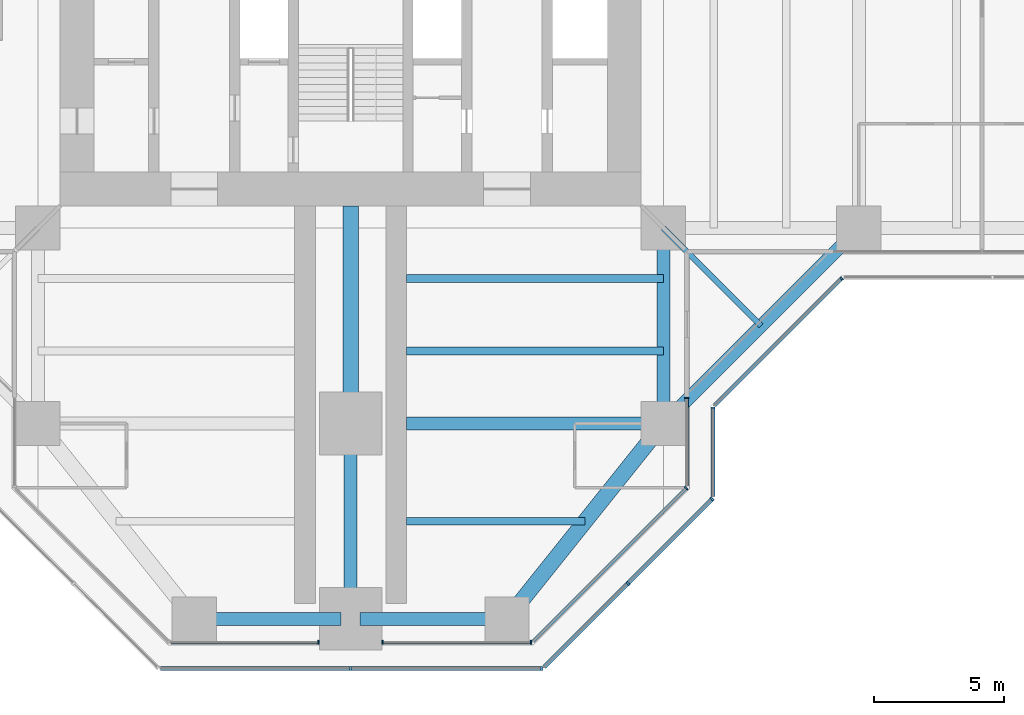
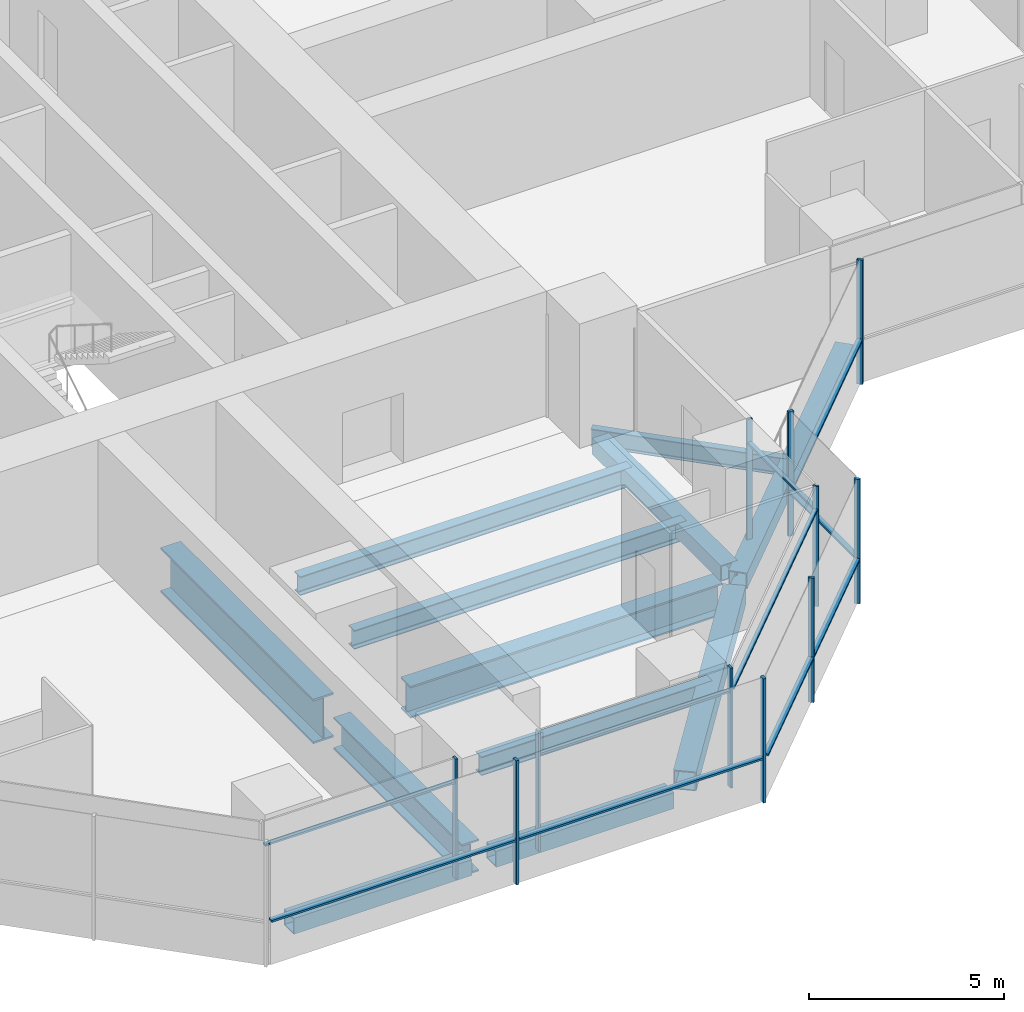
# One storey, part 4 of 20: 21 members, 12 beams, 8 elements without a shape of their own.
"""IFC4 building model written with IfcOpenShell, lengths in metres."""

import ifcopenshell
import ifcopenshell.guid

model = None  # the IFC model being written
_history = None  # IfcOwnerHistory: only IFC2X3 demands one
_inside = {}  # id of a spatial element -> (the spatial element, [elements in it])
_under = {}  # id of a project, library or spatial element -> (it, [spatial elements below it])
_declared = {}  # id of a project -> (the project, [libraries it declares])
_typed = {}  # id of a type object -> (the type object, [elements of that type])
_made_of = {}  # id of a material, layer set ... -> (it, [elements and type objects made of it])


def new_model(schema):
    """Start an empty IFC model of exactly this schema.

    Asked for "IFC4X3", IfcOpenShell would pick the latest addendum, in which some entities
    have other attributes; the version numbers below select the first issue.
    IFC2X3 requires an IfcOwnerHistory on every rooted entity: one is made here for all.
    """
    global model, _history
    if schema == "IFC4X3":
        model = ifcopenshell.file(schema_version=(4, 3, 0, 0))
    else:
        model = ifcopenshell.file(schema=schema)
    _inside.clear()
    _under.clear()
    _declared.clear()
    _typed.clear()
    _made_of.clear()
    _history = None
    if model.schema == "IFC2X3":
        org = make("IfcOrganization", Name="unknown")
        user = make(
            "IfcPersonAndOrganization",
            ThePerson=make("IfcPerson", FamilyName="unknown"),
            TheOrganization=org,
        )
        app = make(
            "IfcApplication",
            ApplicationDeveloper=org,
            Version="unknown",
            ApplicationFullName="unknown",
            ApplicationIdentifier="unknown",
        )
        _history = make(
            "IfcOwnerHistory",
            OwningUser=user,
            OwningApplication=app,
            ChangeAction="ADDED",
            CreationDate=0,
        )
    return model


def make(cls, **values):
    """One entity of the class cls with the attributes given. An attribute that is None is left unset."""
    return model.create_entity(
        cls, **{name: value for name, value in values.items() if value is not None}
    )


def rooted(cls, **values):
    """An entity with a GlobalId (a new one), such as an element, a storey or a relation."""
    return make(cls, GlobalId=ifcopenshell.guid.new(), OwnerHistory=_history, **values)


def si_unit(unit_type, name, prefix=None):
    """IfcSIUnit, for example si_unit("LENGTHUNIT", "METRE", prefix="MILLI")."""
    return make("IfcSIUnit", UnitType=unit_type, Prefix=prefix, Name=name)


def assignment(units):
    """IfcUnitAssignment: the units of a project."""
    return None if units is None else make("IfcUnitAssignment", Units=units)


def point(xyz):
    """IfcCartesianPoint."""
    return None if xyz is None else make("IfcCartesianPoint", Coordinates=xyz)


def direction(xyz):
    """IfcDirection."""
    return None if xyz is None else make("IfcDirection", DirectionRatios=xyz)


def frame(location, z_axis=None, x_axis=None):
    """IfcAxis2Placement3D, a coordinate frame: its origin and axes. An axis left out is left unset."""
    return make(
        "IfcAxis2Placement3D",
        Location=point(location),
        Axis=direction(z_axis),
        RefDirection=direction(x_axis),
    )


def frame_2d(location, x_axis=None):
    """IfcAxis2Placement2D, a coordinate frame in the plane: its origin and x axis."""
    return make(
        "IfcAxis2Placement2D", Location=point(location), RefDirection=direction(x_axis)
    )


def origin():
    """The frame at (0, 0, 0) with its axes left unset."""
    return frame((0.0, 0.0, 0.0))


def origin_2d():
    """The frame at (0, 0) in the plane with its x axis left unset."""
    return frame_2d((0.0, 0.0))


def place(relative_to, where):
    """IfcLocalPlacement: puts the frame where relative to a parent placement (None: the world)."""
    return make(
        "IfcLocalPlacement", PlacementRelTo=relative_to, RelativePlacement=where
    )


def context(
    kind, dimensions, precision=None, world=None, true_north=None, identifier=None
):
    """IfcGeometricRepresentationContext, for example the 3D "Model" context."""
    return make(
        "IfcGeometricRepresentationContext",
        ContextIdentifier=identifier,
        ContextType=kind,
        CoordinateSpaceDimension=dimensions,
        Precision=precision,
        WorldCoordinateSystem=world,
        TrueNorth=true_north,
    )


def subcontext(parent, identifier, kind, view, scale=None):
    """IfcGeometricRepresentationSubContext, for example "Body" below "Model"."""
    return make(
        "IfcGeometricRepresentationSubContext",
        ContextIdentifier=identifier,
        ContextType=kind,
        ParentContext=parent,
        TargetScale=scale,
        TargetView=view,
    )


def project(units=None, contexts=None):
    """IfcProject with its units and contexts."""
    return rooted(
        "IfcProject",
        Name="project",
        RepresentationContexts=contexts,
        UnitsInContext=assignment(units),
    )


def spatial(cls, under=None, at=None, **own):
    """A site, building, storey or space (cls), placed at a placement, below another one or the project."""
    s = rooted(cls, ObjectPlacement=at, **own)
    if under is not None:
        _under.setdefault(under.id(), (under, []))[1].append(s)
    return s


def profile(cls, at=None, kind="AREA", **sizes):
    """A parametric profile (cls). Its sizes go by their IFC names, for example OverallWidth=200.0."""
    return make(cls, ProfileType=kind, Position=at, **sizes)


def rectangle(**sizes):
    """IfcRectangleProfileDef."""
    return profile("IfcRectangleProfileDef", **sizes)


def hollow_rectangle(**sizes):
    """IfcRectangleHollowProfileDef."""
    return profile("IfcRectangleHollowProfileDef", **sizes)


def i_section(**sizes):
    """IfcIShapeProfileDef."""
    return profile("IfcIShapeProfileDef", **sizes)


def extrude(swept, where, along, depth):
    """IfcExtrudedAreaSolid: the profile swept, set in the frame where, extruded along a direction by depth."""
    return make(
        "IfcExtrudedAreaSolid",
        SweptArea=swept,
        Position=where,
        ExtrudedDirection=direction(along),
        Depth=depth,
    )


def shape(context_of_items, identifier, shape_type, items):
    """IfcShapeRepresentation: the items that make up one representation, for example the "Body"."""
    return make(
        "IfcShapeRepresentation",
        ContextOfItems=context_of_items,
        RepresentationIdentifier=identifier,
        RepresentationType=shape_type,
        Items=items,
    )


def material(Name=None, Category=None):
    """IfcMaterial."""
    return make("IfcMaterial", Name=Name, Category=Category)


def material_profile(
    of_material, cross_section, Name=None, Category=None, Priority=None
):
    """IfcMaterialProfile: a cross section and its material."""
    return make(
        "IfcMaterialProfile",
        Name=Name,
        Material=of_material,
        Profile=cross_section,
        Priority=Priority,
        Category=Category,
    )


def profile_set(profiles, Name=None, composite=None):
    """IfcMaterialProfileSet."""
    return make(
        "IfcMaterialProfileSet",
        Name=Name,
        MaterialProfiles=profiles,
        CompositeProfile=composite,
    )


def made_of(thing, what):
    """Note that an element or type object is made of a material, layer set ...; save() writes the relation."""
    if what is not None:
        _made_of.setdefault(what.id(), (what, []))[1].append(thing)
    return thing


def type_object(cls, material=None, **own):
    """A type object (cls), such as IfcWallType, which elements share."""
    return made_of(rooted(cls, **own), material)


def element(
    cls,
    number,
    at=None,
    inside=None,
    cuts=None,
    type_object=None,
    material=None,
    context=None,
    identifier="Body",
    shape_type=None,
    held_by="IfcProductDefinitionShape",
    body=None,
    shapes=None,
    **own,
):
    """One element of the class cls, such as IfcWall. Its Tag is "e" and its number.

    at: its placement. inside: the storey or other place that contains it. cuts: it is an
    opening in that element (IfcRelVoidsElement). A single representation is given by context,
    identifier, shape_type and body (its items); several are given by shapes. held_by: the class
    of the entity that holds the representations. save() writes the other relations.
    """
    e = rooted(cls, Tag="e%d" % number, ObjectPlacement=at, **own)
    if body is not None:
        shapes = [shape(context, identifier, shape_type, body)]
    if shapes is not None:
        e.Representation = make(held_by, Representations=shapes)
    if inside is not None:
        _inside.setdefault(inside.id(), (inside, []))[1].append(e)
    if cuts is not None:
        rooted(
            "IfcRelVoidsElement", RelatingBuildingElement=cuts, RelatedOpeningElement=e
        )
    if type_object is not None:
        _typed.setdefault(type_object.id(), (type_object, []))[1].append(e)
    return made_of(e, material)


def aggregate(whole, parts):
    """IfcRelAggregates: a whole, such as a stair, and the parts it consists of."""
    return rooted("IfcRelAggregates", RelatingObject=whole, RelatedObjects=parts)


def save(model, path):
    """Write the relations noted so far, then the file.

    IfcRelAggregates (storeys below a building ...), IfcRelContainedInSpatialStructure (elements
    in a storey), IfcRelDefinesByType, IfcRelAssociatesMaterial and IfcRelDeclares: one each for
    every whole, place, type object, material and project.
    """
    for whole, parts in _under.values():
        aggregate(whole, parts)
    for where, things in _inside.values():
        rooted(
            "IfcRelContainedInSpatialStructure",
            RelatedElements=things,
            RelatingStructure=where,
        )
    for kind, things in _typed.values():
        rooted("IfcRelDefinesByType", RelatedObjects=things, RelatingType=kind)
    for what, things in _made_of.values():
        rooted("IfcRelAssociatesMaterial", RelatedObjects=things, RelatingMaterial=what)
    for by, libraries in _declared.values():
        rooted("IfcRelDeclares", RelatingContext=by, RelatedDefinitions=libraries)
    model.write(path)


model = new_model("IFC4")

# Units and contexts
model_context = context("Model", 3, precision=1e-05, world=origin(), true_north=direction((0.0, 1.0)))
body_context = subcontext(model_context, "Body", "Model", "MODEL_VIEW")
ifc_project = project(units=[si_unit("LENGTHUNIT", "METRE"), si_unit("AREAUNIT", "SQUARE_METRE"), si_unit("VOLUMEUNIT", "CUBIC_METRE"), si_unit("PLANEANGLEUNIT", "RADIAN"), si_unit("MASSUNIT", "GRAM", prefix="KILO")], contexts=[model_context])

# Site, building, storey
site_placement = place(None, origin())
site = spatial("IfcSite", under=ifc_project, at=site_placement, CompositionType="ELEMENT")
building_placement = place(site_placement, origin())
building = spatial("IfcBuilding", under=site, at=building_placement, Name="Mizan Broadcast Tower", CompositionType="ELEMENT")
storey_placement = place(building_placement, frame((0.0, 0.0, 135.89990234375)))
storey = spatial("IfcBuildingStorey", under=building, at=storey_placement, Name="L30", CompositionType="ELEMENT", Elevation=135.89990234375)

# Beams
ifc_material_1 = material(Name="Steel S355", Category="steel")
ifc_material_profile_1 = material_profile(ifc_material_1, hollow_rectangle(XDim=0.5, YDim=0.5, WallThickness=0.030029296875, at=origin_2d()), Name="BOX 500x500x30")
ifc_profile_set_1 = profile_set([ifc_material_profile_1], Name="Steel S355")
beam_type_1 = type_object("IfcBeamType", Name="EDGE BEAM BOX 500x500x30", PredefinedType="SPANDREL", material=ifc_profile_set_1)
beam_1_placement = place(storey_placement, frame((-5.639892578125, -27.0, -0.3798828125), z_axis=(1.0, 0.0, 0.0), x_axis=(0.0, 1.0, 0.0)))
element("IfcBeam", 1, at=beam_1_placement, inside=storey, type_object=beam_type_1, Name="Edge beam BOX 500x500x30 L30 south arm", PredefinedType="SPANDREL", context=body_context, shape_type="SweptSolid", body=[
    extrude(hollow_rectangle(XDim=0.5, YDim=0.5, WallThickness=0.030029296875, at=origin_2d()), origin(), (0.0, 0.0, 1.0), 5.27978515625),
])
beam_2_placement = place(storey_placement, frame((12.0, -12.449951171875, -0.3798828125), z_axis=(0.0, -1.0, 0.0), x_axis=(1.0, 0.0, 0.0)))
element("IfcBeam", 2, at=beam_2_placement, inside=storey, type_object=beam_type_1, Name="Edge beam BOX 500x500x30 L30 south arm", PredefinedType="SPANDREL", context=body_context, shape_type="SweptSolid", body=[
    extrude(hollow_rectangle(XDim=0.5, YDim=0.5, WallThickness=0.030029296875, at=origin_2d()), origin(), (0.0, 0.0, 1.0), 6.60009765625),
])
beam_3_placement = place(storey_placement, frame((5.639892578125, -27.0, -0.3798828125), z_axis=(-1.0, 0.0, 0.0), x_axis=(0.0, -1.0, 0.0)))
element("IfcBeam", 3, at=beam_3_placement, inside=storey, type_object=beam_type_1, Name="Edge beam BOX 500x500x30 L30 south arm", PredefinedType="SPANDREL", context=body_context, shape_type="SweptSolid", body=[
    extrude(hollow_rectangle(XDim=0.5, YDim=0.5, WallThickness=0.030029296875, at=origin_2d()), origin(), (0.0, 0.0, 1.0), 5.27978515625),
])
beam_4_placement = place(storey_placement, frame((12.0, -19.5, -0.3798828125), z_axis=(0.707106781187, 0.707106781187, 0.0), x_axis=(-0.707106781187, 0.707106781187, 0.0)))
element("IfcBeam", 4, at=beam_4_placement, inside=storey, type_object=beam_type_1, Name="Winter garden edge beam L30 S", PredefinedType="SPANDREL", context=body_context, shape_type="SweptSolid", body=[
    extrude(hollow_rectangle(XDim=0.5, YDim=0.5, WallThickness=0.030029296875, at=origin_2d()), origin(), (0.0, 0.0, 1.0), 10.606689453125),
])
ifc_material_2 = material(Name="Steel S355", Category="steel")
ifc_material_profile_2 = material_profile(ifc_material_2, hollow_rectangle(XDim=0.60009765625, YDim=0.60009765625, WallThickness=0.030029296875, at=origin_2d()), Name="BOX 600x600x30")
ifc_profile_set_2 = profile_set([ifc_material_profile_2], Name="Steel S355")
beam_type_2 = type_object("IfcBeamType", Name="EDGE BEAM BOX 600x600x30", PredefinedType="SPANDREL", material=ifc_profile_set_2)
beam_5_placement = place(storey_placement, frame((11.639892578125, -19.949951171875, -0.429931640625), z_axis=(-0.624673911726, -0.780885717636, 0.0), x_axis=(0.780885717636, -0.624673911726, 0.0)))
element("IfcBeam", 5, at=beam_5_placement, inside=storey, type_object=beam_type_2, Name="Edge beam BOX 600x600x30 L30 south arm", PredefinedType="SPANDREL", context=body_context, shape_type="SweptSolid", body=[
    extrude(hollow_rectangle(XDim=0.60009765625, YDim=0.60009765625, WallThickness=0.030029296875, at=origin_2d()), origin(), (0.0, 0.0, 1.0), 8.4521484375),
])
ifc_material_3 = material(Name="Steel S460", Category="steel")
ifc_material_profile_3 = material_profile(ifc_material_3, i_section(OverallWidth=0.5, OverallDepth=1.0, WebThickness=0.02490234375, FlangeThickness=0.050048828125, at=origin_2d()), Name="WPG 1000x500")
ifc_profile_set_3 = profile_set([ifc_material_profile_3], Name="Steel S460")
beam_type_3 = type_object("IfcBeamType", Name="GIRDER WPG 1000x500", PredefinedType="BEAM", material=ifc_profile_set_3)
beam_6_placement = place(storey_placement, frame((0.0, -19.949951171875, -0.6298828125), z_axis=(0.0, -1.0, 0.0), x_axis=(1.0, 0.0, 0.0)))
element("IfcBeam", 6, at=beam_6_placement, inside=storey, type_object=beam_type_3, Name="Girder WPG 1000x500 L30 south arm", PredefinedType="BEAM", context=body_context, shape_type="SweptSolid", body=[
    extrude(i_section(OverallWidth=0.5, OverallDepth=1.0, WebThickness=0.02490234375, FlangeThickness=0.050048828125, at=origin_2d()), origin(), (0.0, 0.0, 1.0), 6.60009765625),
])
beam_7_placement = place(storey_placement, frame((11.408935546875, -19.5, -0.6298828125), z_axis=(-1.0, 0.0, 0.0), x_axis=(0.0, -1.0, 0.0)))
element("IfcBeam", 7, at=beam_7_placement, inside=storey, type_object=beam_type_3, Name="Girder WPG 1000x500 L30 south arm", PredefinedType="BEAM", context=body_context, shape_type="SweptSolid", body=[
    extrude(i_section(OverallWidth=0.5, OverallDepth=1.0, WebThickness=0.02490234375, FlangeThickness=0.050048828125, at=origin_2d()), origin(), (0.0, 0.0, 1.0), 9.259033203125),
])
ifc_material_4 = material(Name="Steel S460", Category="steel")
ifc_material_profile_4 = material_profile(ifc_material_4, i_section(OverallWidth=0.60009765625, OverallDepth=1.39990234375, WebThickness=0.02490234375, FlangeThickness=0.06005859375, at=origin_2d()), Name="WPG 1400x600")
ifc_profile_set_4 = profile_set([ifc_material_profile_4], Name="Steel S460")
beam_type_4 = type_object("IfcBeamType", Name="GIRDER WPG 1400x600", PredefinedType="BEAM", material=ifc_profile_set_4)
beam_8_placement = place(storey_placement, frame((0.0, -11.14990234375, -0.829833984375), z_axis=(0.0, -1.0, 0.0), x_axis=(1.0, 0.0, 0.0)))
element("IfcBeam", 8, at=beam_8_placement, inside=storey, type_object=beam_type_4, Name="Girder WPG 1400x600 L30 south arm", PredefinedType="BEAM", context=body_context, shape_type="SweptSolid", body=[
    extrude(i_section(OverallWidth=0.60009765625, OverallDepth=1.39990234375, WebThickness=0.02490234375, FlangeThickness=0.06005859375, at=origin_2d()), origin(), (0.0, 0.0, 1.0), 7.84912109375),
])

# Curtain wall, member
ifc_material_5 = material(Name="Aluminium framed glazing", Category="aluminium")
curtain_wall_type_1 = type_object("IfcCurtainWallType", Name="INNER SKIN MID ZONE", PredefinedType="USERDEFINED", material=ifc_material_5)
curtain_wall_1_placement = place(storey_placement, origin())
curtain_wall_1 = element("IfcCurtainWall", 9, at=curtain_wall_1_placement, inside=storey, type_object=curtain_wall_type_1, Name="Inner skin mid zone L30 S end", ObjectType="INNER SKIN MID ZONE", PredefinedType="USERDEFINED")
ifc_material_6 = material(Name="Aluminium, pale anodised", Category="aluminium")
ifc_material_profile_5 = material_profile(ifc_material_6, rectangle(XDim=0.159912109375, YDim=0.06005859375, at=origin_2d()), Name="MULLION 160x60")
ifc_profile_set_5 = profile_set([ifc_material_profile_5], Name="Aluminium, pale anodised")
member_type_1 = type_object("IfcMemberType", Name="INNER SKIN MULLION 60x160", PredefinedType="MULLION", material=ifc_profile_set_5)
member_1_placement = place(storey_placement, frame((-1.22998046875, -27.89990234375, 0.0), z_axis=(0.0, 0.0, 1.0), x_axis=(0.0, 1.0, 0.0)))
member_1 = element("IfcMember", 10, at=member_1_placement, type_object=member_type_1, Name="Inner skin mid zone L30 S end mullion 2", PredefinedType="MULLION", context=body_context, shape_type="SweptSolid", body=[
    extrude(rectangle(XDim=0.159912109375, YDim=0.06005859375, at=origin_2d()), origin(), (0.0, 0.0, 1.0), 3.77001953125),
])

# Curtain wall, members
curtain_wall_2_placement = place(storey_placement, origin())
curtain_wall_2 = element("IfcCurtainWall", 11, at=curtain_wall_2_placement, inside=storey, type_object=curtain_wall_type_1, Name="Inner skin mid zone L30 S end", ObjectType="INNER SKIN MID ZONE", PredefinedType="USERDEFINED")
member_2_placement = place(storey_placement, frame((1.22998046875, -27.89990234375, 0.0), z_axis=(0.0, 0.0, 1.0), x_axis=(0.0, 1.0, 0.0)))
member_2 = element("IfcMember", 12, at=member_2_placement, type_object=member_type_1, Name="Inner skin mid zone L30 S end mullion 1", PredefinedType="MULLION", context=body_context, shape_type="SweptSolid", body=[
    extrude(rectangle(XDim=0.159912109375, YDim=0.06005859375, at=origin_2d()), origin(), (0.0, 0.0, 1.0), 3.77001953125),
])
member_3_placement = place(storey_placement, frame((6.928466796875, -27.89990234375, 0.0), z_axis=(0.0, 0.0, 1.0), x_axis=(0.0, 1.0, 0.0)))
member_3 = element("IfcMember", 13, at=member_3_placement, type_object=member_type_1, Name="Inner skin mid zone L30 S end mullion 2", PredefinedType="MULLION", context=body_context, shape_type="SweptSolid", body=[
    extrude(rectangle(XDim=0.159912109375, YDim=0.06005859375, at=origin_2d()), origin(), (0.0, 0.0, 1.0), 3.77001953125),
])

# Curtain wall, member
curtain_wall_3_placement = place(storey_placement, origin())
curtain_wall_3 = element("IfcCurtainWall", 14, at=curtain_wall_3_placement, inside=storey, type_object=curtain_wall_type_1, Name="Inner skin mid zone L30 S chamfer", ObjectType="INNER SKIN MID ZONE", PredefinedType="USERDEFINED")
member_4_placement = place(storey_placement, frame((12.87890625, -21.979736328125, 0.0), z_axis=(0.0, 0.0, 1.0), x_axis=(-0.707106781187, 0.707106781187, 0.0)))
member_4 = element("IfcMember", 15, at=member_4_placement, type_object=member_type_1, Name="Inner skin mid zone L30 S chamfer mullion 2", PredefinedType="MULLION", context=body_context, shape_type="SweptSolid", body=[
    extrude(rectangle(XDim=0.159912109375, YDim=0.06005859375, at=origin_2d()), origin(), (0.0, 0.0, 1.0), 3.77001953125),
])

curtain_wall_4_placement = place(storey_placement, origin())
curtain_wall_4 = element("IfcCurtainWall", 16, at=curtain_wall_4_placement, inside=storey, type_object=curtain_wall_type_1, Name="Inner skin mid zone L30 S side", ObjectType="INNER SKIN MID ZONE", PredefinedType="USERDEFINED")
member_5_placement = place(storey_placement, frame((12.89990234375, -18.530029296875, 0.0), z_axis=(0.0, 0.0, 1.0), x_axis=(-1.0, 0.0, 0.0)))
member_5 = element("IfcMember", 17, at=member_5_placement, type_object=member_type_1, Name="Inner skin mid zone L30 S side mullion 2", PredefinedType="MULLION", context=body_context, shape_type="SweptSolid", body=[
    extrude(rectangle(XDim=0.159912109375, YDim=0.06005859375, at=origin_2d()), origin(), (0.0, 0.0, 1.0), 3.77001953125),
])

# Member
ifc_material_7 = material(Name="Aluminium, pale anodised", Category="aluminium")
ifc_material_profile_6 = material_profile(ifc_material_7, rectangle(XDim=0.1201171875, YDim=0.06005859375, at=origin_2d()), Name="TRANSOM 120x60")
ifc_profile_set_6 = profile_set([ifc_material_profile_6], Name="Aluminium, pale anodised")
member_type_2 = type_object("IfcMemberType", Name="INNER SKIN TRANSOM 60x120", PredefinedType="USERDEFINED", material=ifc_profile_set_6)
member_6_placement = place(storey_placement, frame((-6.898681640625, -27.89990234375, 3.030029296875), z_axis=(1.0, 0.0, 0.0), x_axis=(0.0, 1.0, 0.0)))
member_6 = element("IfcMember", 18, at=member_6_placement, type_object=member_type_2, Name="Inner skin mid zone L30 S end transom 1.1", ObjectType="TRANSOM", PredefinedType="USERDEFINED", context=body_context, shape_type="SweptSolid", body=[
    extrude(rectangle(XDim=0.1201171875, YDim=0.06005859375, at=origin_2d()), origin(), (0.0, 0.0, 1.0), 5.638671875),
])

aggregate(curtain_wall_1, [member_1, member_6])

member_7_placement = place(storey_placement, frame((1.260009765625, -27.89990234375, 3.030029296875), z_axis=(1.0, 0.0, 0.0), x_axis=(0.0, 1.0, 0.0)))
member_7 = element("IfcMember", 19, at=member_7_placement, type_object=member_type_2, Name="Inner skin mid zone L30 S end transom 1.1", ObjectType="TRANSOM", PredefinedType="USERDEFINED", context=body_context, shape_type="SweptSolid", body=[
    extrude(rectangle(XDim=0.1201171875, YDim=0.06005859375, at=origin_2d()), origin(), (0.0, 0.0, 1.0), 5.638671875),
])

aggregate(curtain_wall_2, [member_2, member_3, member_7])

member_8_placement = place(storey_placement, frame((7.0009765625, -27.857666015625, 3.030029296875), z_axis=(0.707106781187, 0.707106781187, 0.0), x_axis=(-0.707106781187, 0.707106781187, 0.0)))
member_8 = element("IfcMember", 20, at=member_8_placement, type_object=member_type_2, Name="Inner skin mid zone L30 S chamfer transom 1.1", ObjectType="TRANSOM", PredefinedType="USERDEFINED", context=body_context, shape_type="SweptSolid", body=[
    extrude(rectangle(XDim=0.1201171875, YDim=0.06005859375, at=origin_2d()), origin(), (0.0, 0.0, 1.0), 8.28271484375),
])

aggregate(curtain_wall_3, [member_4, member_8])

member_9_placement = place(storey_placement, frame((12.89990234375, -21.898681640625, 3.030029296875), z_axis=(0.0, 1.0, 0.0), x_axis=(-1.0, 0.0, 0.0)))
member_9 = element("IfcMember", 21, at=member_9_placement, type_object=member_type_2, Name="Inner skin mid zone L30 S side transom 1.1", ObjectType="TRANSOM", PredefinedType="USERDEFINED", context=body_context, shape_type="SweptSolid", body=[
    extrude(rectangle(XDim=0.1201171875, YDim=0.06005859375, at=origin_2d()), origin(), (0.0, 0.0, 1.0), 3.338623046875),
])

aggregate(curtain_wall_4, [member_5, member_9])

# Curtain wall, members
ifc_material_8 = material(Name="Aluminium framed glazing", Category="aluminium")
curtain_wall_type_2 = type_object("IfcCurtainWallType", Name="OUTER SKIN", PredefinedType="USERDEFINED", material=ifc_material_8)
curtain_wall_5_placement = place(storey_placement, origin())
curtain_wall_5 = element("IfcCurtainWall", 22, at=curtain_wall_5_placement, inside=storey, type_object=curtain_wall_type_2, Name="Outer skin L30 S end", ObjectType="OUTER SKIN", PredefinedType="USERDEFINED")
ifc_material_9 = material(Name="Aluminium, pale anodised", Category="aluminium")
ifc_material_profile_7 = material_profile(ifc_material_9, rectangle(XDim=0.159912109375, YDim=0.080078125, at=origin_2d()), Name="MULLION 160x80")
ifc_profile_set_7 = profile_set([ifc_material_profile_7], Name="Aluminium, pale anodised")
member_type_3 = type_object("IfcMemberType", Name="OUTER SKIN MULLION 80x160", PredefinedType="MULLION", material=ifc_profile_set_7)
member_10_placement = place(storey_placement, frame((0.0, -28.89990234375, 0.0), z_axis=(0.0, 0.0, 1.0), x_axis=(0.0, 1.0, 0.0)))
member_10 = element("IfcMember", 23, at=member_10_placement, type_object=member_type_3, Name="Outer skin L30 S end mullion 2", PredefinedType="MULLION", context=body_context, shape_type="SweptSolid", body=[
    extrude(rectangle(XDim=0.159912109375, YDim=0.080078125, at=origin_2d()), origin(), (0.0, 0.0, 1.0), 3.900146484375),
])
member_11_placement = place(storey_placement, frame((7.332763671875, -28.89990234375, 0.0), z_axis=(0.0, 0.0, 1.0), x_axis=(0.0, 1.0, 0.0)))
member_11 = element("IfcMember", 24, at=member_11_placement, type_object=member_type_3, Name="Outer skin L30 S end mullion 3", PredefinedType="MULLION", context=body_context, shape_type="SweptSolid", body=[
    extrude(rectangle(XDim=0.159912109375, YDim=0.080078125, at=origin_2d()), origin(), (0.0, 0.0, 1.0), 3.900146484375),
])

curtain_wall_6_placement = place(storey_placement, origin())
curtain_wall_6 = element("IfcCurtainWall", 25, at=curtain_wall_6_placement, inside=storey, type_object=curtain_wall_type_2, Name="Outer skin L30 S chamfer", ObjectType="OUTER SKIN", PredefinedType="USERDEFINED")
member_12_placement = place(storey_placement, frame((10.636474609375, -25.636474609375, 0.0), z_axis=(0.0, 0.0, 1.0), x_axis=(-0.707106781187, 0.707106781187, 0.0)))
member_12 = element("IfcMember", 26, at=member_12_placement, type_object=member_type_3, Name="Outer skin L30 S chamfer mullion 2", PredefinedType="MULLION", context=body_context, shape_type="SweptSolid", body=[
    extrude(rectangle(XDim=0.159912109375, YDim=0.080078125, at=origin_2d()), origin(), (0.0, 0.0, 1.0), 3.900146484375),
])
member_13_placement = place(storey_placement, frame((13.871826171875, -22.401123046875, 0.0), z_axis=(0.0, 0.0, 1.0), x_axis=(-0.707106781187, 0.707106781187, 0.0)))
member_13 = element("IfcMember", 27, at=member_13_placement, type_object=member_type_3, Name="Outer skin L30 S chamfer mullion 3", PredefinedType="MULLION", context=body_context, shape_type="SweptSolid", body=[
    extrude(rectangle(XDim=0.159912109375, YDim=0.080078125, at=origin_2d()), origin(), (0.0, 0.0, 1.0), 3.900146484375),
])

# Curtain wall, member
curtain_wall_7_placement = place(storey_placement, origin())
curtain_wall_7 = element("IfcCurtainWall", 28, at=curtain_wall_7_placement, inside=storey, type_object=curtain_wall_type_2, Name="Outer skin L30 S side", ObjectType="OUTER SKIN", PredefinedType="USERDEFINED")
member_14_placement = place(storey_placement, frame((13.89990234375, -18.912841796875, 0.0), z_axis=(0.0, 0.0, 1.0), x_axis=(-1.0, 0.0, 0.0)))
member_14 = element("IfcMember", 29, at=member_14_placement, type_object=member_type_3, Name="Outer skin L30 S side mullion 2", PredefinedType="MULLION", context=body_context, shape_type="SweptSolid", body=[
    extrude(rectangle(XDim=0.159912109375, YDim=0.080078125, at=origin_2d()), origin(), (0.0, 0.0, 1.0), 3.900146484375),
])

curtain_wall_8_placement = place(storey_placement, origin())
curtain_wall_8 = element("IfcCurtainWall", 30, at=curtain_wall_8_placement, inside=storey, type_object=curtain_wall_type_2, Name="Outer skin L30 E chamfer", ObjectType="OUTER SKIN", PredefinedType="USERDEFINED")
member_15_placement = place(storey_placement, frame((18.844482421875, -13.92822265625, 0.0), z_axis=(0.0, 0.0, 1.0), x_axis=(-0.707106781187, 0.707106781187, 0.0)))
member_15 = element("IfcMember", 31, at=member_15_placement, type_object=member_type_3, Name="Outer skin L30 E chamfer mullion 2", PredefinedType="MULLION", context=body_context, shape_type="SweptSolid", body=[
    extrude(rectangle(XDim=0.159912109375, YDim=0.080078125, at=origin_2d()), origin(), (0.0, 0.0, 1.0), 3.900146484375),
])

# Member
ifc_material_10 = material(Name="Aluminium, pale anodised", Category="aluminium")
ifc_material_profile_8 = material_profile(ifc_material_10, rectangle(XDim=0.159912109375, YDim=0.06005859375, at=origin_2d()), Name="TRANSOM 160x60")
ifc_profile_set_8 = profile_set([ifc_material_profile_8], Name="Aluminium, pale anodised")
member_type_4 = type_object("IfcMemberType", Name="OUTER SKIN TRANSOM 60x160", PredefinedType="USERDEFINED", material=ifc_profile_set_8)
member_16_placement = place(storey_placement, frame((-7.292724609375, -28.89990234375, 1.400146484375), z_axis=(1.0, 0.0, 0.0), x_axis=(0.0, 1.0, 0.0)))
member_16 = element("IfcMember", 32, at=member_16_placement, type_object=member_type_4, Name="Outer skin L30 S end transom 1.1", ObjectType="TRANSOM", PredefinedType="USERDEFINED", context=body_context, shape_type="SweptSolid", body=[
    extrude(rectangle(XDim=0.159912109375, YDim=0.06005859375, at=origin_2d()), origin(), (0.0, 0.0, 1.0), 7.252685546875),
])

member_17_placement = place(storey_placement, frame((0.0400390625, -28.89990234375, 1.400146484375), z_axis=(1.0, 0.0, 0.0), x_axis=(0.0, 1.0, 0.0)))
member_17 = element("IfcMember", 33, at=member_17_placement, type_object=member_type_4, Name="Outer skin L30 S end transom 2.1", ObjectType="TRANSOM", PredefinedType="USERDEFINED", context=body_context, shape_type="SweptSolid", body=[
    extrude(rectangle(XDim=0.159912109375, YDim=0.06005859375, at=origin_2d()), origin(), (0.0, 0.0, 1.0), 7.252685546875),
])

aggregate(curtain_wall_5, [member_10, member_11, member_16, member_17])

member_18_placement = place(storey_placement, frame((7.429443359375, -28.843505859375, 1.400146484375), z_axis=(0.707106781187, 0.707106781187, 0.0), x_axis=(-0.707106781187, 0.707106781187, 0.0)))
member_18 = element("IfcMember", 34, at=member_18_placement, type_object=member_type_4, Name="Outer skin L30 S chamfer transom 1.1", ObjectType="TRANSOM", PredefinedType="USERDEFINED", context=body_context, shape_type="SweptSolid", body=[
    extrude(rectangle(XDim=0.159912109375, YDim=0.06005859375, at=origin_2d()), origin(), (0.0, 0.0, 1.0), 4.495361328125),
])

member_19_placement = place(storey_placement, frame((10.664794921875, -25.608154296875, 1.400146484375), z_axis=(0.707106781187, 0.707106781187, 0.0), x_axis=(-0.707106781187, 0.707106781187, 0.0)))
member_19 = element("IfcMember", 35, at=member_19_placement, type_object=member_type_4, Name="Outer skin L30 S chamfer transom 2.1", ObjectType="TRANSOM", PredefinedType="USERDEFINED", context=body_context, shape_type="SweptSolid", body=[
    extrude(rectangle(XDim=0.159912109375, YDim=0.06005859375, at=origin_2d()), origin(), (0.0, 0.0, 1.0), 4.495361328125),
])

aggregate(curtain_wall_6, [member_12, member_13, member_18, member_19])

member_20_placement = place(storey_placement, frame((13.89990234375, -22.292724609375, 1.400146484375), z_axis=(0.0, 1.0, 0.0), x_axis=(-1.0, 0.0, 0.0)))
member_20 = element("IfcMember", 36, at=member_20_placement, type_object=member_type_4, Name="Outer skin L30 S side transom 1.1", ObjectType="TRANSOM", PredefinedType="USERDEFINED", context=body_context, shape_type="SweptSolid", body=[
    extrude(rectangle(XDim=0.159912109375, YDim=0.06005859375, at=origin_2d()), origin(), (0.0, 0.0, 1.0), 3.33984375),
])

aggregate(curtain_wall_7, [member_14, member_20])

member_21_placement = place(storey_placement, frame((13.95654296875, -18.816162109375, 1.400146484375), z_axis=(0.707106781187, 0.707106781187, 0.0), x_axis=(-0.707106781187, 0.707106781187, 0.0)))
member_21 = element("IfcMember", 37, at=member_21_placement, type_object=member_type_4, Name="Outer skin L30 E chamfer transom 1.1", ObjectType="TRANSOM", PredefinedType="USERDEFINED", context=body_context, shape_type="SweptSolid", body=[
    extrude(rectangle(XDim=0.159912109375, YDim=0.06005859375, at=origin_2d()), origin(), (0.0, 0.0, 1.0), 6.87255859375),
])

aggregate(curtain_wall_8, [member_15, member_21])

# Beams
ifc_material_11 = material(Name="Steel S355", Category="steel")
ifc_material_profile_9 = material_profile(ifc_material_11, i_section(OverallWidth=0.300048828125, OverallDepth=0.590087890625, WebThickness=0.012939453125, FlangeThickness=0.02490234375, FilletRadius=0.027099609375, at=origin_2d()), Name="HEA 600")
ifc_profile_set_9 = profile_set([ifc_material_profile_9], Name="Steel S355")
beam_type_5 = type_object("IfcBeamType", Name="SECONDARY BEAM HEA 600", PredefinedType="JOIST", material=ifc_profile_set_9)
for number, where, z_axis, x_axis, name in (
    (38, (12.0, -13.933349609375, -0.4248046875), (-1.0, 0.0, 0.0), (0.0, -1.0, 0.0), "Secondary beam HEA 600 L30 south arm"),
    (39, (12.0, -16.716552734375, -0.4248046875), (-1.0, 0.0, 0.0), (0.0, -1.0, 0.0), "Secondary beam HEA 600 L30 south arm"),
):
    element("IfcBeam", number, at=place(storey_placement, frame(where, z_axis=z_axis, x_axis=x_axis)), inside=storey, type_object=beam_type_5, Name=name, PredefinedType="JOIST", context=body_context, shape_type="SweptSolid", body=[
        extrude(i_section(OverallWidth=0.300048828125, OverallDepth=0.590087890625, WebThickness=0.012939453125, FlangeThickness=0.02490234375, FilletRadius=0.027099609375, at=origin_2d()), origin(), (0.0, 0.0, 1.0), 9.85009765625),
    ])
beam_9_placement = place(storey_placement, frame((9.0, -23.25, -0.4248046875), z_axis=(-1.0, 0.0, 0.0), x_axis=(0.0, -1.0, 0.0)))
element("IfcBeam", 40, at=beam_9_placement, inside=storey, type_object=beam_type_5, Name="Secondary beam HEA 600 L30 south arm", PredefinedType="JOIST", context=body_context, shape_type="SweptSolid", body=[
    extrude(i_section(OverallWidth=0.300048828125, OverallDepth=0.590087890625, WebThickness=0.012939453125, FlangeThickness=0.02490234375, FilletRadius=0.027099609375, at=origin_2d()), origin(), (0.0, 0.0, 1.0), 6.85009765625),
])
ifc_material_12 = material(Name="Steel S355", Category="steel")
ifc_material_profile_10 = material_profile(ifc_material_12, i_section(OverallWidth=0.2099609375, OverallDepth=0.550048828125, WebThickness=0.010986328125, FlangeThickness=0.01708984375, FilletRadius=0.02392578125, at=origin_2d()), Name="IPE 550")
ifc_profile_set_10 = profile_set([ifc_material_profile_10], Name="Steel S355")
beam_type_6 = type_object("IfcBeamType", Name="SECONDARY BEAM IPE 550", PredefinedType="JOIST", material=ifc_profile_set_10)
beam_10_placement = place(storey_placement, frame((12.0, -12.0, -0.40478515625), z_axis=(0.707106781187, -0.707106781187, 0.0), x_axis=(0.707106781187, 0.707106781187, 0.0)))
element("IfcBeam", 41, at=beam_10_placement, inside=storey, type_object=beam_type_6, Name="Winter garden beam L30 S", PredefinedType="JOIST", context=body_context, shape_type="SweptSolid", body=[
    extrude(i_section(OverallWidth=0.2099609375, OverallDepth=0.550048828125, WebThickness=0.010986328125, FlangeThickness=0.01708984375, FilletRadius=0.02392578125, at=origin_2d()), origin(), (0.0, 0.0, 1.0), 5.30322265625),
])

save(model, "model.ifc")
